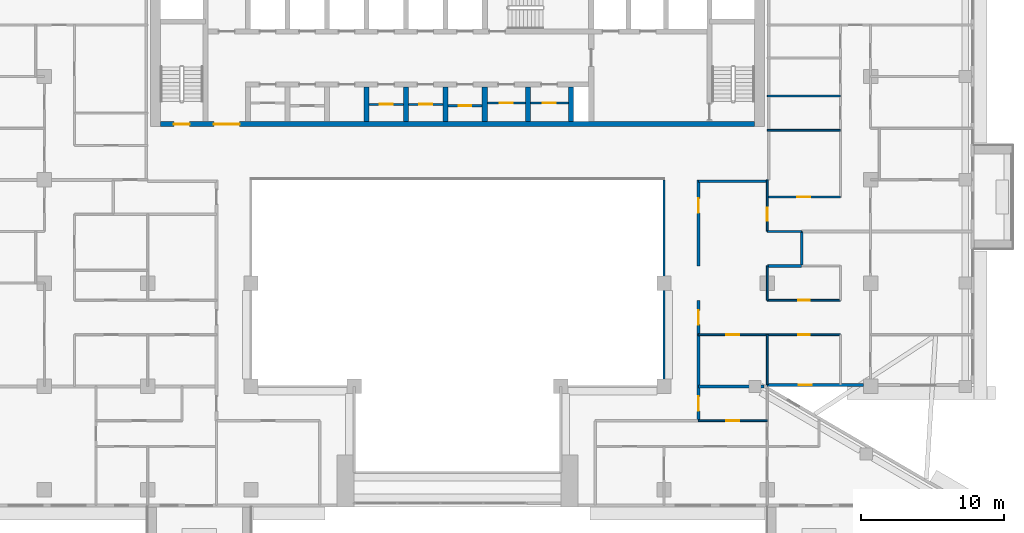
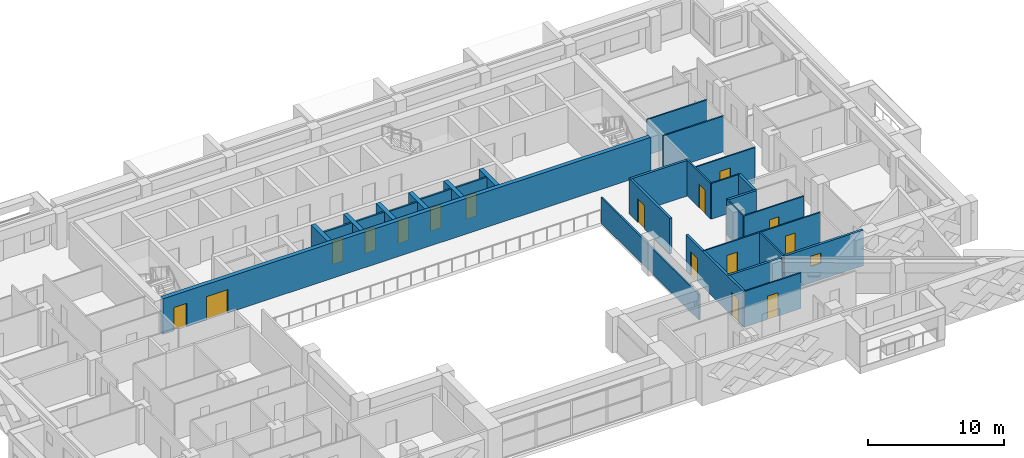
# One storey, part 9 of 20: 30 walls, 16 doors, 1 window, 17 openings.
"""IFC4 building model written with IfcOpenShell, lengths in metres."""

import ifcopenshell
import ifcopenshell.guid

model = None  # the IFC model being written
_history = None  # IfcOwnerHistory: only IFC2X3 demands one
_inside = {}  # id of a spatial element -> (the spatial element, [elements in it])
_under = {}  # id of a project, library or spatial element -> (it, [spatial elements below it])
_declared = {}  # id of a project -> (the project, [libraries it declares])
_typed = {}  # id of a type object -> (the type object, [elements of that type])
_made_of = {}  # id of a material, layer set ... -> (it, [elements and type objects made of it])


def new_model(schema):
    """Start an empty IFC model of exactly this schema.

    Asked for "IFC4X3", IfcOpenShell would pick the latest addendum, in which some entities
    have other attributes; the version numbers below select the first issue.
    IFC2X3 requires an IfcOwnerHistory on every rooted entity: one is made here for all.
    """
    global model, _history
    if schema == "IFC4X3":
        model = ifcopenshell.file(schema_version=(4, 3, 0, 0))
    else:
        model = ifcopenshell.file(schema=schema)
    _inside.clear()
    _under.clear()
    _declared.clear()
    _typed.clear()
    _made_of.clear()
    _history = None
    if model.schema == "IFC2X3":
        org = make("IfcOrganization", Name="unknown")
        user = make(
            "IfcPersonAndOrganization",
            ThePerson=make("IfcPerson", FamilyName="unknown"),
            TheOrganization=org,
        )
        app = make(
            "IfcApplication",
            ApplicationDeveloper=org,
            Version="unknown",
            ApplicationFullName="unknown",
            ApplicationIdentifier="unknown",
        )
        _history = make(
            "IfcOwnerHistory",
            OwningUser=user,
            OwningApplication=app,
            ChangeAction="ADDED",
            CreationDate=0,
        )
    return model


def make(cls, **values):
    """One entity of the class cls with the attributes given. An attribute that is None is left unset."""
    return model.create_entity(
        cls, **{name: value for name, value in values.items() if value is not None}
    )


def rooted(cls, **values):
    """An entity with a GlobalId (a new one), such as an element, a storey or a relation."""
    return make(cls, GlobalId=ifcopenshell.guid.new(), OwnerHistory=_history, **values)


def si_unit(unit_type, name, prefix=None):
    """IfcSIUnit, for example si_unit("LENGTHUNIT", "METRE", prefix="MILLI")."""
    return make("IfcSIUnit", UnitType=unit_type, Prefix=prefix, Name=name)


def assignment(units):
    """IfcUnitAssignment: the units of a project."""
    return None if units is None else make("IfcUnitAssignment", Units=units)


def point(xyz):
    """IfcCartesianPoint."""
    return None if xyz is None else make("IfcCartesianPoint", Coordinates=xyz)


def direction(xyz):
    """IfcDirection."""
    return None if xyz is None else make("IfcDirection", DirectionRatios=xyz)


def frame(location, z_axis=None, x_axis=None):
    """IfcAxis2Placement3D, a coordinate frame: its origin and axes. An axis left out is left unset."""
    return make(
        "IfcAxis2Placement3D",
        Location=point(location),
        Axis=direction(z_axis),
        RefDirection=direction(x_axis),
    )


def frame_2d(location, x_axis=None):
    """IfcAxis2Placement2D, a coordinate frame in the plane: its origin and x axis."""
    return make(
        "IfcAxis2Placement2D", Location=point(location), RefDirection=direction(x_axis)
    )


def origin():
    """The frame at (0, 0, 0) with its axes left unset."""
    return frame((0.0, 0.0, 0.0))


def place(relative_to, where):
    """IfcLocalPlacement: puts the frame where relative to a parent placement (None: the world)."""
    return make(
        "IfcLocalPlacement", PlacementRelTo=relative_to, RelativePlacement=where
    )


def context(
    kind, dimensions, precision=None, world=None, true_north=None, identifier=None
):
    """IfcGeometricRepresentationContext, for example the 3D "Model" context."""
    return make(
        "IfcGeometricRepresentationContext",
        ContextIdentifier=identifier,
        ContextType=kind,
        CoordinateSpaceDimension=dimensions,
        Precision=precision,
        WorldCoordinateSystem=world,
        TrueNorth=true_north,
    )


def subcontext(parent, identifier, kind, view, scale=None):
    """IfcGeometricRepresentationSubContext, for example "Body" below "Model"."""
    return make(
        "IfcGeometricRepresentationSubContext",
        ContextIdentifier=identifier,
        ContextType=kind,
        ParentContext=parent,
        TargetScale=scale,
        TargetView=view,
    )


def project(units=None, contexts=None):
    """IfcProject with its units and contexts."""
    return rooted(
        "IfcProject",
        Name="project",
        RepresentationContexts=contexts,
        UnitsInContext=assignment(units),
    )


def spatial(cls, under=None, at=None, **own):
    """A site, building, storey or space (cls), placed at a placement, below another one or the project."""
    s = rooted(cls, ObjectPlacement=at, **own)
    if under is not None:
        _under.setdefault(under.id(), (under, []))[1].append(s)
    return s


def profile(cls, at=None, kind="AREA", **sizes):
    """A parametric profile (cls). Its sizes go by their IFC names, for example OverallWidth=200.0."""
    return make(cls, ProfileType=kind, Position=at, **sizes)


def rectangle(**sizes):
    """IfcRectangleProfileDef."""
    return profile("IfcRectangleProfileDef", **sizes)


def extrude(swept, where, along, depth):
    """IfcExtrudedAreaSolid: the profile swept, set in the frame where, extruded along a direction by depth."""
    return make(
        "IfcExtrudedAreaSolid",
        SweptArea=swept,
        Position=where,
        ExtrudedDirection=direction(along),
        Depth=depth,
    )


def shape(context_of_items, identifier, shape_type, items):
    """IfcShapeRepresentation: the items that make up one representation, for example the "Body"."""
    return make(
        "IfcShapeRepresentation",
        ContextOfItems=context_of_items,
        RepresentationIdentifier=identifier,
        RepresentationType=shape_type,
        Items=items,
    )


def material(Name=None, Category=None):
    """IfcMaterial."""
    return make("IfcMaterial", Name=Name, Category=Category)


def layer(
    of_material, thickness, ventilated=None, Name=None, Category=None, Priority=None
):
    """IfcMaterialLayer: one layer of a wall or slab, of a material (None: an air gap)."""
    return make(
        "IfcMaterialLayer",
        Material=of_material,
        LayerThickness=thickness,
        IsVentilated=ventilated,
        Name=Name,
        Category=Category,
        Priority=Priority,
    )


def layer_set(layers, Name=None):
    """IfcMaterialLayerSet."""
    return make("IfcMaterialLayerSet", MaterialLayers=layers, LayerSetName=Name)


def made_of(thing, what):
    """Note that an element or type object is made of a material, layer set ...; save() writes the relation."""
    if what is not None:
        _made_of.setdefault(what.id(), (what, []))[1].append(thing)
    return thing


def type_object(cls, material=None, **own):
    """A type object (cls), such as IfcWallType, which elements share."""
    return made_of(rooted(cls, **own), material)


def element(
    cls,
    number,
    at=None,
    inside=None,
    cuts=None,
    type_object=None,
    material=None,
    context=None,
    identifier="Body",
    shape_type=None,
    held_by="IfcProductDefinitionShape",
    body=None,
    shapes=None,
    **own,
):
    """One element of the class cls, such as IfcWall. Its Tag is "e" and its number.

    at: its placement. inside: the storey or other place that contains it. cuts: it is an
    opening in that element (IfcRelVoidsElement). A single representation is given by context,
    identifier, shape_type and body (its items); several are given by shapes. held_by: the class
    of the entity that holds the representations. save() writes the other relations.
    """
    e = rooted(cls, Tag="e%d" % number, ObjectPlacement=at, **own)
    if body is not None:
        shapes = [shape(context, identifier, shape_type, body)]
    if shapes is not None:
        e.Representation = make(held_by, Representations=shapes)
    if inside is not None:
        _inside.setdefault(inside.id(), (inside, []))[1].append(e)
    if cuts is not None:
        rooted(
            "IfcRelVoidsElement", RelatingBuildingElement=cuts, RelatedOpeningElement=e
        )
    if type_object is not None:
        _typed.setdefault(type_object.id(), (type_object, []))[1].append(e)
    return made_of(e, material)


def fill(opening, filler):
    """IfcRelFillsElement: the door or window that sits in an opening."""
    return rooted(
        "IfcRelFillsElement",
        RelatingOpeningElement=opening,
        RelatedBuildingElement=filler,
    )


def aggregate(whole, parts):
    """IfcRelAggregates: a whole, such as a stair, and the parts it consists of."""
    return rooted("IfcRelAggregates", RelatingObject=whole, RelatedObjects=parts)


def save(model, path):
    """Write the relations noted so far, then the file.

    IfcRelAggregates (storeys below a building ...), IfcRelContainedInSpatialStructure (elements
    in a storey), IfcRelDefinesByType, IfcRelAssociatesMaterial and IfcRelDeclares: one each for
    every whole, place, type object, material and project.
    """
    for whole, parts in _under.values():
        aggregate(whole, parts)
    for where, things in _inside.values():
        rooted(
            "IfcRelContainedInSpatialStructure",
            RelatedElements=things,
            RelatingStructure=where,
        )
    for kind, things in _typed.values():
        rooted("IfcRelDefinesByType", RelatedObjects=things, RelatingType=kind)
    for what, things in _made_of.values():
        rooted("IfcRelAssociatesMaterial", RelatedObjects=things, RelatingMaterial=what)
    for by, libraries in _declared.values():
        rooted("IfcRelDeclares", RelatingContext=by, RelatedDefinitions=libraries)
    model.write(path)


model = new_model("IFC4")

# Units and contexts
model_context = context("Model", 3, precision=1e-05, world=origin(), true_north=direction((0.0, 1.0)))
body_context = subcontext(model_context, "Body", "Model", "MODEL_VIEW")
ifc_project = project(units=[si_unit("LENGTHUNIT", "METRE"), si_unit("AREAUNIT", "SQUARE_METRE"), si_unit("VOLUMEUNIT", "CUBIC_METRE"), si_unit("PLANEANGLEUNIT", "RADIAN"), si_unit("MASSUNIT", "GRAM", prefix="KILO")], contexts=[model_context])

# Site, building, storey
site_placement = place(None, origin())
site = spatial("IfcSite", under=ifc_project, at=site_placement, CompositionType="ELEMENT")
building_placement = place(site_placement, origin())
building = spatial("IfcBuilding", under=site, at=building_placement, Name="Saffron Iwan Residences", CompositionType="ELEMENT")
storey_placement = place(building_placement, frame((0.0, 0.0, 150.0)))
storey = spatial("IfcBuildingStorey", under=building, at=storey_placement, Name="L39", CompositionType="ELEMENT", Elevation=150.0)

# Wall
ifc_material_1 = material(Name="Fire-rated glazing", Category="glass")
ifc_layer_1 = layer(ifc_material_1, 0.14990234375)
ifc_layer_set_1 = layer_set([ifc_layer_1], Name="Fire-rated glazing")
wall_type_1 = type_object("IfcWallType", Name="Atrium glazed screen 150", PredefinedType="SOLIDWALL", material=ifc_layer_set_1)
wall_1_placement = place(storey_placement, frame((64.800048828125, 48.0, 0.0), z_axis=(0.0, 0.0, 1.0), x_axis=(0.0, 1.0, 0.0)))
element("IfcWall", 1, at=wall_1_placement, inside=storey, type_object=wall_type_1, Name="W-L39-SCREEN-v64.8-48", PredefinedType="SOLIDWALL", context=body_context, shape_type="SweptSolid", body=[
    extrude(rectangle(XDim=14.39990234375, YDim=0.14990234375, at=frame_2d((7.199951171875, 0.0))), origin(), (0.0, 0.0, 1.0), 2.300048828125),
])

# Wall, opening, door
ifc_material_2 = material(Name="Fire-rated plasterboard partition")
ifc_layer_2 = layer(ifc_material_2, 0.14990234375)
ifc_layer_set_2 = layer_set([ifc_layer_2], Name="Fire-rated plasterboard partition")
wall_type_2 = type_object("IfcWallType", Name="Core partition 150", PredefinedType="PARTITIONING", material=ifc_layer_set_2)
wall_2_placement = place(storey_placement, frame((44.22509765625, 67.66259765625, 0.0), z_axis=(0.0, 0.0, 1.0), x_axis=(1.0, 0.0, 0.0)))
wall_2 = element("IfcWall", 2, at=wall_2_placement, inside=storey, type_object=wall_type_2, Name="Core partition P03", PredefinedType="PARTITIONING", context=body_context, shape_type="SweptSolid", body=[
    extrude(rectangle(XDim=2.39990234375, YDim=0.14990234375, at=frame_2d((1.199951171875, 0.0))), origin(), (0.0, 0.0, 1.0), 3.199951171875),
])
opening_1_placement = place(wall_2_placement, frame((0.75, 0.0, 0.0)))
opening_1 = element("IfcOpeningElement", 3, at=opening_1_placement, cuts=wall_2, Name="Opening SB", PredefinedType="OPENING", context=body_context, shape_type="SweptSolid", body=[
    extrude(rectangle(XDim=0.89990234375, YDim=2.10009765625, at=frame_2d((0.449951171875, 1.050048828125))), frame((0.0, 0.0849609375, 0.0), z_axis=(0.0, -1.0, 0.0), x_axis=(1.0, 0.0, 0.0)), (0.0, 0.0, 1.0), 0.169921875),
])
ifc_material_3 = material(Name="Steel fire door", Category="steel")
door_type_1 = type_object("IfcDoorType", Name="Store door 900", OperationType="NOTDEFINED", PredefinedType="DOOR", material=ifc_material_3)
door_1_placement = place(opening_1_placement, origin())
door_1 = element("IfcDoor", 4, at=door_1_placement, inside=storey, type_object=door_type_1, Name="Door Equipment store", OperationType="SINGLE_SWING_LEFT", OverallHeight=2.10009765625, OverallWidth=0.89990234375, PredefinedType="DOOR", context=body_context, shape_type="SweptSolid", body=[
    extrude(rectangle(XDim=0.89990234375, YDim=2.10009765625, at=frame_2d((0.449951171875, 1.050048828125))), frame((0.0, 0.02490234375, 0.0), z_axis=(0.0, -1.0, 0.0), x_axis=(1.0, 0.0, 0.0)), (0.0, 0.0, 1.0), 0.050048828125),
])
fill(opening_1, door_1)

wall_3_placement = place(storey_placement, frame((46.97509765625, 67.66259765625, 0.0), z_axis=(0.0, 0.0, 1.0), x_axis=(1.0, 0.0, 0.0)))
wall_3 = element("IfcWall", 5, at=wall_3_placement, inside=storey, type_object=wall_type_2, Name="Core partition P04", PredefinedType="PARTITIONING", context=body_context, shape_type="SweptSolid", body=[
    extrude(rectangle(XDim=2.39990234375, YDim=0.14990234375, at=frame_2d((1.199951171875, 0.0))), origin(), (0.0, 0.0, 1.0), 3.199951171875),
])
opening_2_placement = place(wall_3_placement, frame((0.75, 0.0, 0.0)))
opening_2 = element("IfcOpeningElement", 6, at=opening_2_placement, cuts=wall_3, Name="Opening SB", PredefinedType="OPENING", context=body_context, shape_type="SweptSolid", body=[
    extrude(rectangle(XDim=0.89990234375, YDim=2.10009765625, at=frame_2d((0.449951171875, 1.050048828125))), frame((0.0, 0.0849609375, 0.0), z_axis=(0.0, -1.0, 0.0), x_axis=(1.0, 0.0, 0.0)), (0.0, 0.0, 1.0), 0.169921875),
])
door_2_placement = place(opening_2_placement, origin())
door_2 = element("IfcDoor", 7, at=door_2_placement, inside=storey, type_object=door_type_1, Name="Door Mop store", OperationType="SINGLE_SWING_RIGHT", OverallHeight=2.10009765625, OverallWidth=0.89990234375, PredefinedType="DOOR", context=body_context, shape_type="SweptSolid", body=[
    extrude(rectangle(XDim=0.89990234375, YDim=2.10009765625, at=frame_2d((0.449951171875, 1.050048828125))), frame((0.0, 0.02490234375, 0.0), z_axis=(0.0, -1.0, 0.0), x_axis=(1.0, 0.0, 0.0)), (0.0, 0.0, 1.0), 0.050048828125),
])
fill(opening_2, door_2)

wall_4_placement = place(storey_placement, frame((49.72509765625, 67.5654296875, 0.0), z_axis=(0.0, 0.0, 1.0), x_axis=(1.0, 0.0, 0.0)))
wall_4 = element("IfcWall", 8, at=wall_4_placement, inside=storey, type_object=wall_type_2, Name="Core partition P05", PredefinedType="PARTITIONING", context=body_context, shape_type="SweptSolid", body=[
    extrude(rectangle(XDim=2.39990234375, YDim=0.14990234375, at=frame_2d((1.199951171875, 0.0))), origin(), (0.0, 0.0, 1.0), 3.199951171875),
])
opening_3_placement = place(wall_4_placement, frame((0.75, 0.0, 0.0)))
opening_3 = element("IfcOpeningElement", 9, at=opening_3_placement, cuts=wall_4, Name="Opening SB", PredefinedType="OPENING", context=body_context, shape_type="SweptSolid", body=[
    extrude(rectangle(XDim=0.89990234375, YDim=2.10009765625, at=frame_2d((0.449951171875, 1.050048828125))), frame((0.0, 0.0849609375, 0.0), z_axis=(0.0, -1.0, 0.0), x_axis=(1.0, 0.0, 0.0)), (0.0, 0.0, 1.0), 0.169921875),
])
door_3_placement = place(opening_3_placement, origin())
door_3 = element("IfcDoor", 10, at=door_3_placement, inside=storey, type_object=door_type_1, Name="Door Spares store", OperationType="SINGLE_SWING_LEFT", OverallHeight=2.10009765625, OverallWidth=0.89990234375, PredefinedType="DOOR", context=body_context, shape_type="SweptSolid", body=[
    extrude(rectangle(XDim=0.89990234375, YDim=2.10009765625, at=frame_2d((0.449951171875, 1.050048828125))), frame((0.0, 0.02490234375, 0.0), z_axis=(0.0, -1.0, 0.0), x_axis=(1.0, 0.0, 0.0)), (0.0, 0.0, 1.0), 0.050048828125),
])
fill(opening_3, door_3)

wall_5_placement = place(storey_placement, frame((52.47509765625, 67.759521484375, 0.0), z_axis=(0.0, 0.0, 1.0), x_axis=(1.0, 0.0, 0.0)))
wall_5 = element("IfcWall", 11, at=wall_5_placement, inside=storey, type_object=wall_type_2, Name="Core partition P06", PredefinedType="PARTITIONING", context=body_context, shape_type="SweptSolid", body=[
    extrude(rectangle(XDim=2.64990234375, YDim=0.14990234375, at=frame_2d((1.324951171875, 0.0))), origin(), (0.0, 0.0, 1.0), 3.199951171875),
])
opening_4_placement = place(wall_5_placement, frame((0.875, 0.0, 0.0)))
opening_4 = element("IfcOpeningElement", 12, at=opening_4_placement, cuts=wall_5, Name="Opening SB", PredefinedType="OPENING", context=body_context, shape_type="SweptSolid", body=[
    extrude(rectangle(XDim=0.89990234375, YDim=2.10009765625, at=frame_2d((0.449951171875, 1.050048828125))), frame((0.0, 0.0849609375, 0.0), z_axis=(0.0, -1.0, 0.0), x_axis=(1.0, 0.0, 0.0)), (0.0, 0.0, 1.0), 0.169921875),
])
door_4_placement = place(opening_4_placement, origin())
door_4 = element("IfcDoor", 13, at=door_4_placement, inside=storey, type_object=door_type_1, Name="Door Tool store", OperationType="SINGLE_SWING_LEFT", OverallHeight=2.10009765625, OverallWidth=0.89990234375, PredefinedType="DOOR", context=body_context, shape_type="SweptSolid", body=[
    extrude(rectangle(XDim=0.89990234375, YDim=2.10009765625, at=frame_2d((0.449951171875, 1.050048828125))), frame((0.0, 0.02490234375, 0.0), z_axis=(0.0, -1.0, 0.0), x_axis=(1.0, 0.0, 0.0)), (0.0, 0.0, 1.0), 0.050048828125),
])
fill(opening_4, door_4)

wall_6_placement = place(storey_placement, frame((55.47509765625, 67.759521484375, 0.0), z_axis=(0.0, 0.0, 1.0), x_axis=(1.0, 0.0, 0.0)))
wall_6 = element("IfcWall", 14, at=wall_6_placement, inside=storey, type_object=wall_type_2, Name="Core partition P07", PredefinedType="PARTITIONING", context=body_context, shape_type="SweptSolid", body=[
    extrude(rectangle(XDim=2.64990234375, YDim=0.14990234375, at=frame_2d((1.324951171875, 0.0))), origin(), (0.0, 0.0, 1.0), 3.199951171875),
])
opening_5_placement = place(wall_6_placement, frame((0.875, 0.0, 0.0)))
opening_5 = element("IfcOpeningElement", 15, at=opening_5_placement, cuts=wall_6, Name="Opening SB", PredefinedType="OPENING", context=body_context, shape_type="SweptSolid", body=[
    extrude(rectangle(XDim=0.89990234375, YDim=2.10009765625, at=frame_2d((0.449951171875, 1.050048828125))), frame((0.0, 0.0849609375, 0.0), z_axis=(0.0, -1.0, 0.0), x_axis=(1.0, 0.0, 0.0)), (0.0, 0.0, 1.0), 0.169921875),
])
door_5_placement = place(opening_5_placement, origin())
door_5 = element("IfcDoor", 16, at=door_5_placement, inside=storey, type_object=door_type_1, Name="Door Cabling room", OperationType="SINGLE_SWING_LEFT", OverallHeight=2.10009765625, OverallWidth=0.89990234375, PredefinedType="DOOR", context=body_context, shape_type="SweptSolid", body=[
    extrude(rectangle(XDim=0.89990234375, YDim=2.10009765625, at=frame_2d((0.449951171875, 1.050048828125))), frame((0.0, 0.02490234375, 0.0), z_axis=(0.0, -1.0, 0.0), x_axis=(1.0, 0.0, 0.0)), (0.0, 0.0, 1.0), 0.050048828125),
])
fill(opening_5, door_5)

# Wall, opening, window
ifc_material_4 = material(Name="Concrete C40/50", Category="concrete")
ifc_layer_3 = layer(ifc_material_4, 0.199951171875)
ifc_layer_set_3 = layer_set([ifc_layer_3], Name="Concrete C40/50")
wall_type_3 = type_object("IfcWallType", Name="EXTERNAL WALL 200", PredefinedType="SOLIDWALL", material=ifc_layer_set_3)
wall_7_placement = place(storey_placement, frame((71.989990234375, 48.10009765625, 0.0), z_axis=(0.0, 0.0, 1.0), x_axis=(1.0, 0.0, 0.0)))
wall_7 = element("IfcWall", 17, at=wall_7_placement, inside=storey, type_object=wall_type_3, Name="External wall L39 F1.0", PredefinedType="SOLIDWALL", context=body_context, shape_type="SweptSolid", body=[
    extrude(rectangle(XDim=6.7099609375, YDim=0.199951171875, at=frame_2d((3.35498046875, 0.0))), origin(), (0.0, 0.0, 1.0), 3.199951171875),
])
opening_6_placement = place(wall_7_placement, frame((2.204833984375, 0.0, 1.5)))
opening_6 = element("IfcOpeningElement", 18, at=opening_6_placement, cuts=wall_7, Name="Opening W6", PredefinedType="OPENING", context=body_context, shape_type="SweptSolid", body=[
    extrude(rectangle(XDim=0.89990234375, YDim=0.89990234375, at=frame_2d((0.449951171875, 0.449951171875))), frame((0.0, 0.10986328125, 0.0), z_axis=(0.0, -1.0, 0.0), x_axis=(1.0, 0.0, 0.0)), (0.0, 0.0, 1.0), 0.219970703125),
])
ifc_material_5 = material(Name="Clear glass, laminated double glazed", Category="glass")
window_type = type_object("IfcWindowType", Name="WINDOW 900 x 900 BATH", PartitioningType="SINGLE_PANEL", PredefinedType="WINDOW", material=ifc_material_5)
window_placement = place(opening_6_placement, origin())
window = element("IfcWindow", 19, at=window_placement, inside=storey, type_object=window_type, Name="Window L39 F1.0", OverallHeight=0.89990234375, OverallWidth=0.89990234375, PartitioningType="SINGLE_PANEL", PredefinedType="WINDOW", context=body_context, shape_type="SweptSolid", body=[
    extrude(rectangle(XDim=0.89990234375, YDim=0.89990234375, at=frame_2d((0.449951171875, 0.449951171875))), frame((0.0, 0.030029296875, 0.0), z_axis=(0.0, -1.0, 0.0), x_axis=(1.0, 0.0, 0.0)), (0.0, 0.0, 1.0), 0.06005859375),
])
fill(opening_6, window)

# Walls
ifc_material_6 = material(Name="Fire-rated gypsum board wall")
ifc_layer_4 = layer(ifc_material_6, 0.199951171875)
ifc_layer_set_4 = layer_set([ifc_layer_4], Name="Fire-rated gypsum board wall")
wall_type_4 = type_object("IfcWallType", Name="Flat demising wall 200", PredefinedType="SOLIDWALL", material=ifc_layer_set_4)
wall_8_placement = place(storey_placement, frame((67.199951171875, 48.0, 0.0), z_axis=(0.0, 0.0, 1.0), x_axis=(1.0, 0.0, 0.0)))
element("IfcWall", 20, at=wall_8_placement, inside=storey, type_object=wall_type_4, Name="W-L39-DEMISE-h48-67.2", PredefinedType="SOLIDWALL", context=body_context, shape_type="SweptSolid", body=[
    extrude(rectangle(XDim=4.552001953125, YDim=0.199951171875, at=frame_2d((2.27587890625, 0.0))), origin(), (0.0, 0.0, 1.0), 3.199951171875),
])
wall_9_placement = place(storey_placement, frame((72.0, 56.39990234375, 0.0), z_axis=(0.0, 0.0, 1.0), x_axis=(1.0, 0.0, 0.0)))
element("IfcWall", 21, at=wall_9_placement, inside=storey, type_object=wall_type_4, Name="W-L39-DEMISE-h56.4-72", PredefinedType="SOLIDWALL", context=body_context, shape_type="SweptSolid", body=[
    extrude(rectangle(XDim=2.39990234375, YDim=0.199951171875, at=frame_2d((1.199951171875, 0.0))), origin(), (0.0, 0.0, 1.0), 3.199951171875),
])
wall_10_placement = place(storey_placement, frame((74.39990234375, 56.39990234375, 0.0), z_axis=(0.0, 0.0, 1.0), x_axis=(0.0, 1.0, 0.0)))
element("IfcWall", 22, at=wall_10_placement, inside=storey, type_object=wall_type_4, Name="W-L39-DEMISE-v74.4-56.4", PredefinedType="SOLIDWALL", context=body_context, shape_type="SweptSolid", body=[
    extrude(rectangle(XDim=2.400146484375, YDim=0.199951171875, at=frame_2d((1.2001953125, 0.0))), origin(), (0.0, 0.0, 1.0), 3.199951171875),
])

# Wall, opening, door
ifc_material_7 = material(Name="Gypsum board partition")
ifc_layer_5 = layer(ifc_material_7, 0.1201171875)
ifc_layer_set_5 = layer_set([ifc_layer_5], Name="Gypsum board partition")
wall_type_5 = type_object("IfcWallType", Name="Flat partition 120", PredefinedType="PARTITIONING", material=ifc_layer_set_5)
wall_11_placement = place(storey_placement, frame((67.199951171875, 45.60009765625, 0.0), z_axis=(0.0, 0.0, 1.0), x_axis=(1.0, 0.0, 0.0)))
wall_11 = element("IfcWall", 23, at=wall_11_placement, inside=storey, type_object=wall_type_5, Name="W-L39-PART-h45.6-67.2", PredefinedType="PARTITIONING", context=body_context, shape_type="SweptSolid", body=[
    extrude(rectangle(XDim=4.800048828125, YDim=0.1201171875, at=frame_2d((2.39990234375, 0.0))), origin(), (0.0, 0.0, 1.0), 3.199951171875),
])
opening_7_placement = place(wall_11_placement, frame((1.949951171875, 0.0, 0.0)))
opening_7 = element("IfcOpeningElement", 24, at=opening_7_placement, cuts=wall_11, Name="Opening FD2", PredefinedType="OPENING", context=body_context, shape_type="SweptSolid", body=[
    extrude(rectangle(XDim=0.89990234375, YDim=2.10009765625, at=frame_2d((0.449951171875, 1.050048828125))), frame((0.0, 0.070068359375, 0.0), z_axis=(0.0, -1.0, 0.0), x_axis=(1.0, 0.0, 0.0)), (0.0, 0.0, 1.0), 0.14013671875),
])
ifc_material_8 = material(Name="Timber door", Category="wood")
door_type_2 = type_object("IfcDoorType", Name="Flat door 900", OperationType="NOTDEFINED", PredefinedType="DOOR", material=ifc_material_8)
door_6_placement = place(opening_7_placement, origin())
door_6 = element("IfcDoor", 25, at=door_6_placement, inside=storey, type_object=door_type_2, Name="Door L39-042", OperationType="SINGLE_SWING_LEFT", OverallHeight=2.10009765625, OverallWidth=0.89990234375, PredefinedType="DOOR", context=body_context, shape_type="SweptSolid", body=[
    extrude(rectangle(XDim=0.89990234375, YDim=2.10009765625, at=frame_2d((0.449951171875, 1.050048828125))), frame((0.0, 0.02490234375, 0.0), z_axis=(0.0, -1.0, 0.0), x_axis=(1.0, 0.0, 0.0)), (0.0, 0.0, 1.0), 0.050048828125),
])
fill(opening_7, door_6)

# Wall, openings, doors
wall_12_placement = place(storey_placement, frame((67.199951171875, 51.60009765625, 0.0), z_axis=(0.0, 0.0, 1.0), x_axis=(1.0, 0.0, 0.0)))
wall_12 = element("IfcWall", 26, at=wall_12_placement, inside=storey, type_object=wall_type_5, Name="W-L39-PART-h51.6-67.2", PredefinedType="PARTITIONING", context=body_context, shape_type="SweptSolid", body=[
    extrude(rectangle(XDim=9.900146484375, YDim=0.1201171875, at=frame_2d((4.9501953125, 0.0))), origin(), (0.0, 0.0, 1.0), 3.199951171875),
])
opening_8_placement = place(wall_12_placement, frame((6.949951171875, 0.0, 0.0)))
opening_8 = element("IfcOpeningElement", 27, at=opening_8_placement, cuts=wall_12, Name="Opening FD3", PredefinedType="OPENING", context=body_context, shape_type="SweptSolid", body=[
    extrude(rectangle(XDim=0.800048828125, YDim=2.10009765625, at=frame_2d((0.39990234375, 1.050048828125))), frame((0.0, 0.070068359375, 0.0), z_axis=(0.0, -1.0, 0.0), x_axis=(1.0, 0.0, 0.0)), (0.0, 0.0, 1.0), 0.14013671875),
])
opening_9_placement = place(wall_12_placement, frame((1.949951171875, 0.0, 0.0)))
opening_9 = element("IfcOpeningElement", 28, at=opening_9_placement, cuts=wall_12, Name="Opening FD2", PredefinedType="OPENING", context=body_context, shape_type="SweptSolid", body=[
    extrude(rectangle(XDim=0.89990234375, YDim=2.10009765625, at=frame_2d((0.449951171875, 1.050048828125))), frame((0.0, 0.070068359375, 0.0), z_axis=(0.0, -1.0, 0.0), x_axis=(1.0, 0.0, 0.0)), (0.0, 0.0, 1.0), 0.14013671875),
])
door_type_3 = type_object("IfcDoorType", Name="Bathroom door 800", OperationType="NOTDEFINED", PredefinedType="DOOR", material=ifc_material_8)
door_7_placement = place(opening_8_placement, origin())
door_7 = element("IfcDoor", 29, at=door_7_placement, inside=storey, type_object=door_type_3, Name="Door L39-019", OperationType="SINGLE_SWING_RIGHT", OverallHeight=2.10009765625, OverallWidth=0.800048828125, PredefinedType="DOOR", context=body_context, shape_type="SweptSolid", body=[
    extrude(rectangle(XDim=0.800048828125, YDim=2.10009765625, at=frame_2d((0.39990234375, 1.050048828125))), frame((0.0, 0.02490234375, 0.0), z_axis=(0.0, -1.0, 0.0), x_axis=(1.0, 0.0, 0.0)), (0.0, 0.0, 1.0), 0.050048828125),
])
fill(opening_8, door_7)
door_8_placement = place(opening_9_placement, origin())
door_8 = element("IfcDoor", 30, at=door_8_placement, inside=storey, type_object=door_type_2, Name="Door L39-021", OperationType="SINGLE_SWING_LEFT", OverallHeight=2.10009765625, OverallWidth=0.89990234375, PredefinedType="DOOR", context=body_context, shape_type="SweptSolid", body=[
    extrude(rectangle(XDim=0.89990234375, YDim=2.10009765625, at=frame_2d((0.449951171875, 1.050048828125))), frame((0.0, 0.02490234375, 0.0), z_axis=(0.0, -1.0, 0.0), x_axis=(1.0, 0.0, 0.0)), (0.0, 0.0, 1.0), 0.050048828125),
])
fill(opening_9, door_8)

# Wall, opening, door
wall_13_placement = place(storey_placement, frame((72.0, 54.0, 0.0), z_axis=(0.0, 0.0, 1.0), x_axis=(1.0, 0.0, 0.0)))
wall_13 = element("IfcWall", 31, at=wall_13_placement, inside=storey, type_object=wall_type_5, Name="W-L39-PART-h54-72", PredefinedType="PARTITIONING", context=body_context, shape_type="SweptSolid", body=[
    extrude(rectangle(XDim=5.10009765625, YDim=0.1201171875, at=frame_2d((2.550048828125, 0.0))), origin(), (0.0, 0.0, 1.0), 3.199951171875),
])
opening_10_placement = place(wall_13_placement, frame((2.14990234375, 0.0, 0.0)))
opening_10 = element("IfcOpeningElement", 32, at=opening_10_placement, cuts=wall_13, Name="Opening FD3", PredefinedType="OPENING", context=body_context, shape_type="SweptSolid", body=[
    extrude(rectangle(XDim=0.800048828125, YDim=2.10009765625, at=frame_2d((0.39990234375, 1.050048828125))), frame((0.0, 0.070068359375, 0.0), z_axis=(0.0, -1.0, 0.0), x_axis=(1.0, 0.0, 0.0)), (0.0, 0.0, 1.0), 0.14013671875),
])
door_9_placement = place(opening_10_placement, origin())
door_9 = element("IfcDoor", 33, at=door_9_placement, inside=storey, type_object=door_type_3, Name="Door L39-020", OperationType="SINGLE_SWING_LEFT", OverallHeight=2.10009765625, OverallWidth=0.800048828125, PredefinedType="DOOR", context=body_context, shape_type="SweptSolid", body=[
    extrude(rectangle(XDim=0.800048828125, YDim=2.10009765625, at=frame_2d((0.39990234375, 1.050048828125))), frame((0.0, 0.02490234375, 0.0), z_axis=(0.0, -1.0, 0.0), x_axis=(1.0, 0.0, 0.0)), (0.0, 0.0, 1.0), 0.050048828125),
])
fill(opening_10, door_9)

# Wall
wall_14_placement = place(storey_placement, frame((72.0, 58.800048828125, 0.0), z_axis=(0.0, 0.0, 1.0), x_axis=(1.0, 0.0, 0.0)))
element("IfcWall", 34, at=wall_14_placement, inside=storey, type_object=wall_type_5, Name="W-L39-PART-h58.8-72", PredefinedType="PARTITIONING", context=body_context, shape_type="SweptSolid", body=[
    extrude(rectangle(XDim=2.39990234375, YDim=0.1201171875, at=frame_2d((1.199951171875, 0.0))), origin(), (0.0, 0.0, 1.0), 3.199951171875),
])

# Wall, opening, door
wall_15_placement = place(storey_placement, frame((72.0, 61.199951171875, 0.0), z_axis=(0.0, 0.0, 1.0), x_axis=(1.0, 0.0, 0.0)))
wall_15 = element("IfcWall", 35, at=wall_15_placement, inside=storey, type_object=wall_type_5, Name="W-L39-PART-h61.2-72", PredefinedType="PARTITIONING", context=body_context, shape_type="SweptSolid", body=[
    extrude(rectangle(XDim=5.10009765625, YDim=0.1201171875, at=frame_2d((2.550048828125, 0.0))), origin(), (0.0, 0.0, 1.0), 3.199951171875),
])
opening_11_placement = place(wall_15_placement, frame((2.10009765625, 0.0, 0.0)))
opening_11 = element("IfcOpeningElement", 36, at=opening_11_placement, cuts=wall_15, Name="Opening FD2", PredefinedType="OPENING", context=body_context, shape_type="SweptSolid", body=[
    extrude(rectangle(XDim=0.89990234375, YDim=2.10009765625, at=frame_2d((0.449951171875, 1.050048828125))), frame((0.0, 0.070068359375, 0.0), z_axis=(0.0, -1.0, 0.0), x_axis=(1.0, 0.0, 0.0)), (0.0, 0.0, 1.0), 0.14013671875),
])
door_10_placement = place(opening_11_placement, origin())
door_10 = element("IfcDoor", 37, at=door_10_placement, inside=storey, type_object=door_type_2, Name="Door L39-037", OperationType="SINGLE_SWING_RIGHT", OverallHeight=2.10009765625, OverallWidth=0.89990234375, PredefinedType="DOOR", context=body_context, shape_type="SweptSolid", body=[
    extrude(rectangle(XDim=0.89990234375, YDim=2.10009765625, at=frame_2d((0.449951171875, 1.050048828125))), frame((0.0, 0.02490234375, 0.0), z_axis=(0.0, -1.0, 0.0), x_axis=(1.0, 0.0, 0.0)), (0.0, 0.0, 1.0), 0.050048828125),
])
fill(opening_11, door_10)

# Walls
for number, where, z_axis, x_axis, name in (
    (38, (72.0, 65.85009765625, 0.0), (0.0, 0.0, 1.0), (1.0, 0.0, 0.0), "W-L39-PART-h65.85-72"),
    (39, (72.0, 68.25, 0.0), (0.0, 0.0, 1.0), (1.0, 0.0, 0.0), "W-L39-PART-h68.25-72"),
):
    element("IfcWall", number, at=place(storey_placement, frame(where, z_axis=z_axis, x_axis=x_axis)), inside=storey, type_object=wall_type_5, Name=name, PredefinedType="PARTITIONING", context=body_context, shape_type="SweptSolid", body=[
        extrude(rectangle(XDim=5.10009765625, YDim=0.1201171875, at=frame_2d((2.550048828125, 0.0))), origin(), (0.0, 0.0, 1.0), 3.199951171875),
    ])
wall_16_placement = place(storey_placement, frame((72.0, 48.125, 0.0), z_axis=(0.0, 0.0, 1.0), x_axis=(0.0, 1.0, 0.0)))
element("IfcWall", 40, at=wall_16_placement, inside=storey, type_object=wall_type_5, Name="W-L39-PART-v72-48.125", PredefinedType="PARTITIONING", context=body_context, shape_type="SweptSolid", body=[
    extrude(rectangle(XDim=3.47509765625, YDim=0.1201171875, at=frame_2d((1.737548828125, 0.0))), origin(), (0.0, 0.0, 1.0), 3.199951171875),
])
wall_17_placement = place(storey_placement, frame((72.0, 54.0, 0.0), z_axis=(0.0, 0.0, 1.0), x_axis=(0.0, 1.0, 0.0)))
element("IfcWall", 41, at=wall_17_placement, inside=storey, type_object=wall_type_5, Name="W-L39-PART-v72-54", PredefinedType="PARTITIONING", context=body_context, shape_type="SweptSolid", body=[
    extrude(rectangle(XDim=2.39990234375, YDim=0.1201171875, at=frame_2d((1.199951171875, 0.0))), origin(), (0.0, 0.0, 1.0), 3.199951171875),
])

# Wall, opening, door
wall_18_placement = place(storey_placement, frame((72.0, 58.800048828125, 0.0), z_axis=(0.0, 0.0, 1.0), x_axis=(0.0, 1.0, 0.0)))
wall_18 = element("IfcWall", 42, at=wall_18_placement, inside=storey, type_object=wall_type_5, Name="W-L39-PART-v72-58.8", PredefinedType="PARTITIONING", context=body_context, shape_type="SweptSolid", body=[
    extrude(rectangle(XDim=3.599853515625, YDim=0.1201171875, at=frame_2d((1.7998046875, 0.0))), origin(), (0.0, 0.0, 1.0), 3.199951171875),
])
opening_12_placement = place(wall_18_placement, frame((0.75, 0.0, 0.0)))
opening_12 = element("IfcOpeningElement", 43, at=opening_12_placement, cuts=wall_18, Name="Opening FD2", PredefinedType="OPENING", context=body_context, shape_type="SweptSolid", body=[
    extrude(rectangle(XDim=0.89990234375, YDim=2.10009765625, at=frame_2d((0.449951171875, 1.050048828125))), frame((0.0, 0.070068359375, 0.0), z_axis=(0.0, -1.0, 0.0), x_axis=(1.0, 0.0, 0.0)), (0.0, 0.0, 1.0), 0.14013671875),
])
door_11_placement = place(opening_12_placement, origin())
door_11 = element("IfcDoor", 44, at=door_11_placement, inside=storey, type_object=door_type_2, Name="Door L39-030", OperationType="SINGLE_SWING_LEFT", OverallHeight=2.10009765625, OverallWidth=0.89990234375, PredefinedType="DOOR", context=body_context, shape_type="SweptSolid", body=[
    extrude(rectangle(XDim=0.89990234375, YDim=2.10009765625, at=frame_2d((0.449951171875, 1.050048828125))), frame((0.0, 0.02490234375, 0.0), z_axis=(0.0, -1.0, 0.0), x_axis=(1.0, 0.0, 0.0)), (0.0, 0.0, 1.0), 0.050048828125),
])
fill(opening_12, door_11)

# Wall
ifc_layer_6 = layer(ifc_material_6, 0.199951171875)
ifc_layer_set_6 = layer_set([ifc_layer_6], Name="Fire-rated gypsum board wall")
wall_type_6 = type_object("IfcWallType", Name="Gallery wall 200", PredefinedType="SOLIDWALL", material=ifc_layer_set_6)
wall_19_placement = place(storey_placement, frame((67.199951171875, 62.300048828125, 0.0), z_axis=(0.0, 0.0, 1.0), x_axis=(1.0, 0.0, 0.0)))
element("IfcWall", 45, at=wall_19_placement, inside=storey, type_object=wall_type_6, Name="W-L39-CORR-h62.4-67.2", PredefinedType="SOLIDWALL", context=body_context, shape_type="SweptSolid", body=[
    extrude(rectangle(XDim=4.800048828125, YDim=0.199951171875, at=frame_2d((2.39990234375, 0.0))), origin(), (0.0, 0.0, 1.0), 3.199951171875),
])

# Wall, openings, doors
wall_20_placement = place(storey_placement, frame((67.199951171875, 45.60009765625, 0.0), z_axis=(0.0, 0.0, 1.0), x_axis=(0.0, 1.0, 0.0)))
wall_20 = element("IfcWall", 46, at=wall_20_placement, inside=storey, type_object=wall_type_6, Name="W-L39-CORR-v67.2-45.6", PredefinedType="SOLIDWALL", context=body_context, shape_type="SweptSolid", body=[
    extrude(rectangle(XDim=8.39990234375, YDim=0.199951171875, at=frame_2d((4.199951171875, 0.0))), origin(), (0.0, 0.0, 1.0), 3.199951171875),
])
opening_13_placement = place(wall_20_placement, frame((6.699951171875, 0.0, 0.0)))
opening_13 = element("IfcOpeningElement", 47, at=opening_13_placement, cuts=wall_20, Name="Opening FD1", PredefinedType="OPENING", context=body_context, shape_type="SweptSolid", body=[
    extrude(rectangle(XDim=1.0, YDim=2.10009765625, at=frame_2d((0.5, 1.050048828125))), frame((0.0, 0.10986328125, 0.0), z_axis=(0.0, -1.0, 0.0), x_axis=(1.0, 0.0, 0.0)), (0.0, 0.0, 1.0), 0.219970703125),
])
opening_14_placement = place(wall_20_placement, frame((0.699951171875, 0.0, 0.0)))
opening_14 = element("IfcOpeningElement", 48, at=opening_14_placement, cuts=wall_20, Name="Opening FD5", PredefinedType="OPENING", context=body_context, shape_type="SweptSolid", body=[
    extrude(rectangle(XDim=1.0, YDim=2.10009765625, at=frame_2d((0.5, 1.050048828125))), frame((0.0, 0.10986328125, 0.0), z_axis=(0.0, -1.0, 0.0), x_axis=(1.0, 0.0, 0.0)), (0.0, 0.0, 1.0), 0.219970703125),
])
ifc_material_9 = material(Name="Fire-rated timber door", Category="wood")
door_type_4 = type_object("IfcDoorType", Name="FD30S flat entrance door 1000", OperationType="NOTDEFINED", PredefinedType="DOOR", material=ifc_material_9)
door_12_placement = place(opening_13_placement, origin())
door_12 = element("IfcDoor", 49, at=door_12_placement, inside=storey, type_object=door_type_4, Name="Door L39-016", OperationType="SINGLE_SWING_RIGHT", OverallHeight=2.10009765625, OverallWidth=1.0, PredefinedType="DOOR", context=body_context, shape_type="SweptSolid", body=[
    extrude(rectangle(XDim=1.0, YDim=2.10009765625, at=frame_2d((0.5, 1.050048828125))), frame((0.0, 0.02490234375, 0.0), z_axis=(0.0, -1.0, 0.0), x_axis=(1.0, 0.0, 0.0)), (0.0, 0.0, 1.0), 0.050048828125),
])
fill(opening_13, door_12)
door_type_5 = type_object("IfcDoorType", Name="Lobby door 1000", OperationType="NOTDEFINED", PredefinedType="DOOR", material=ifc_material_9)
door_13_placement = place(opening_14_placement, origin())
door_13 = element("IfcDoor", 50, at=door_13_placement, inside=storey, type_object=door_type_5, Name="Door L39-043", OperationType="SINGLE_SWING_RIGHT", OverallHeight=2.10009765625, OverallWidth=1.0, PredefinedType="DOOR", context=body_context, shape_type="SweptSolid", body=[
    extrude(rectangle(XDim=1.0, YDim=2.10009765625, at=frame_2d((0.5, 1.050048828125))), frame((0.0, 0.02490234375, 0.0), z_axis=(0.0, -1.0, 0.0), x_axis=(1.0, 0.0, 0.0)), (0.0, 0.0, 1.0), 0.050048828125),
])
fill(opening_14, door_13)

# Wall, opening, door
wall_21_placement = place(storey_placement, frame((67.199951171875, 56.39990234375, 0.0), z_axis=(0.0, 0.0, 1.0), x_axis=(0.0, 1.0, 0.0)))
wall_21 = element("IfcWall", 51, at=wall_21_placement, inside=storey, type_object=wall_type_6, Name="W-L39-CORR-v67.2-56.4", PredefinedType="SOLIDWALL", context=body_context, shape_type="SweptSolid", body=[
    extrude(rectangle(XDim=6.0, YDim=0.199951171875, at=frame_2d((3.0, 0.0))), origin(), (0.0, 0.0, 1.0), 3.199951171875),
])
opening_15_placement = place(wall_21_placement, frame((3.699951171875, 0.0, 0.0)))
opening_15 = element("IfcOpeningElement", 52, at=opening_15_placement, cuts=wall_21, Name="Opening FD5", PredefinedType="OPENING", context=body_context, shape_type="SweptSolid", body=[
    extrude(rectangle(XDim=1.0, YDim=2.10009765625, at=frame_2d((0.5, 1.050048828125))), frame((0.0, 0.10986328125, 0.0), z_axis=(0.0, -1.0, 0.0), x_axis=(1.0, 0.0, 0.0)), (0.0, 0.0, 1.0), 0.219970703125),
])
door_14_placement = place(opening_15_placement, origin())
door_14 = element("IfcDoor", 53, at=door_14_placement, inside=storey, type_object=door_type_5, Name="Door L39-031", OperationType="SINGLE_SWING_RIGHT", OverallHeight=2.10009765625, OverallWidth=1.0, PredefinedType="DOOR", context=body_context, shape_type="SweptSolid", body=[
    extrude(rectangle(XDim=1.0, YDim=2.10009765625, at=frame_2d((0.5, 1.050048828125))), frame((0.0, 0.02490234375, 0.0), z_axis=(0.0, -1.0, 0.0), x_axis=(1.0, 0.0, 0.0)), (0.0, 0.0, 1.0), 0.050048828125),
])
fill(opening_15, door_14)

# Wall, openings, doors
ifc_material_10 = material(Name="Concrete C50/60", Category="concrete")
ifc_layer_7 = layer(ifc_material_10, 0.35009765625)
ifc_layer_set_7 = layer_set([ifc_layer_7], Name="Concrete C50/60")
wall_type_7 = type_object("IfcWallType", Name="WALL CORE 350 C50/60 3200 HIGH", PredefinedType="SHEAR", material=ifc_layer_set_7)
wall_22_placement = place(storey_placement, frame((29.699951171875, 66.27490234375, 0.0), z_axis=(0.0, 0.0, 1.0), x_axis=(1.0, 0.0, 0.0)))
wall_22 = element("IfcWall", 54, at=wall_22_placement, inside=storey, type_object=wall_type_7, Name="Core wall", PredefinedType="SHEAR", context=body_context, shape_type="SweptSolid", body=[
    extrude(rectangle(XDim=41.400146484375, YDim=0.35009765625, at=frame_2d((20.7001953125, 0.0))), origin(), (0.0, 0.0, 1.0), 3.199951171875),
])
opening_16_placement = place(wall_22_placement, frame((0.925048828125, 0.0, 0.0)))
opening_16 = element("IfcOpeningElement", 55, at=opening_16_placement, cuts=wall_22, Name="Opening SD", PredefinedType="OPENING", context=body_context, shape_type="SweptSolid", body=[
    extrude(rectangle(XDim=1.10009765625, YDim=2.10009765625, at=frame_2d((0.550048828125, 1.050048828125))), frame((0.0, 0.18505859375, 0.0), z_axis=(0.0, -1.0, 0.0), x_axis=(1.0, 0.0, 0.0)), (0.0, 0.0, 1.0), 0.3701171875),
])
opening_17_placement = place(wall_22_placement, frame((3.71240234375, 0.0, 0.0)))
opening_17 = element("IfcOpeningElement", 56, at=opening_17_placement, cuts=wall_22, Name="Opening DD", PredefinedType="OPENING", context=body_context, shape_type="SweptSolid", body=[
    extrude(rectangle(XDim=1.800048828125, YDim=2.10009765625, at=frame_2d((0.89990234375, 1.050048828125))), frame((0.0, 0.18505859375, 0.0), z_axis=(0.0, -1.0, 0.0), x_axis=(1.0, 0.0, 0.0)), (0.0, 0.0, 1.0), 0.3701171875),
])
door_type_6 = type_object("IfcDoorType", Name="Lobby double door 1800", OperationType="DOUBLE_DOOR_SINGLE_SWING", PredefinedType="DOOR", material=ifc_material_3)
door_15_placement = place(opening_17_placement, origin())
door_15 = element("IfcDoor", 57, at=door_15_placement, inside=storey, type_object=door_type_6, Name="Lobby doors", OperationType="DOUBLE_DOOR_SINGLE_SWING", OverallHeight=2.10009765625, OverallWidth=1.800048828125, PredefinedType="DOOR", context=body_context, shape_type="SweptSolid", body=[
    extrude(rectangle(XDim=1.800048828125, YDim=2.10009765625, at=frame_2d((0.89990234375, 1.050048828125))), frame((0.0, 0.02490234375, 0.0), z_axis=(0.0, -1.0, 0.0), x_axis=(1.0, 0.0, 0.0)), (0.0, 0.0, 1.0), 0.050048828125),
])
fill(opening_17, door_15)
door_type_7 = type_object("IfcDoorType", Name="Stair door 1100", OperationType="NOTDEFINED", PredefinedType="DOOR", material=ifc_material_3)
door_16_placement = place(opening_16_placement, origin())
door_16 = element("IfcDoor", 58, at=door_16_placement, inside=storey, type_object=door_type_7, Name="Stair door ST-W", OperationType="SINGLE_SWING_LEFT", OverallHeight=2.10009765625, OverallWidth=1.10009765625, PredefinedType="DOOR", context=body_context, shape_type="SweptSolid", body=[
    extrude(rectangle(XDim=1.10009765625, YDim=2.10009765625, at=frame_2d((0.550048828125, 1.050048828125))), frame((0.0, 0.02490234375, 0.0), z_axis=(0.0, -1.0, 0.0), x_axis=(1.0, 0.0, 0.0)), (0.0, 0.0, 1.0), 0.050048828125),
])
fill(opening_16, door_16)

# Walls
for number, where, z_axis, x_axis, name in (
    (59, (44.050048828125, 66.449951171875, 0.0), (0.0, 0.0, 1.0), (0.0, 1.0, 0.0), "Core wall"),
    (60, (46.800048828125, 66.449951171875, 0.0), (0.0, 0.0, 1.0), (0.0, 1.0, 0.0), "Core wall"),
    (61, (49.550048828125, 66.449951171875, 0.0), (0.0, 0.0, 1.0), (0.0, 1.0, 0.0), "Core wall"),
    (62, (52.300048828125, 66.449951171875, 0.0), (0.0, 0.0, 1.0), (0.0, 1.0, 0.0), "Core wall"),
    (63, (55.300048828125, 66.449951171875, 0.0), (0.0, 0.0, 1.0), (0.0, 1.0, 0.0), "Core wall"),
    (64, (58.300048828125, 66.449951171875, 0.0), (0.0, 0.0, 1.0), (0.0, 1.0, 0.0), "Core wall"),
):
    element("IfcWall", number, at=place(storey_placement, frame(where, z_axis=z_axis, x_axis=x_axis)), inside=storey, type_object=wall_type_7, Name=name, PredefinedType="SHEAR", context=body_context, shape_type="SweptSolid", body=[
        extrude(rectangle(XDim=2.425048828125, YDim=0.35009765625, at=frame_2d((1.21240234375, 0.0))), origin(), (0.0, 0.0, 1.0), 3.199951171875),
    ])

save(model, "model.ifc")
